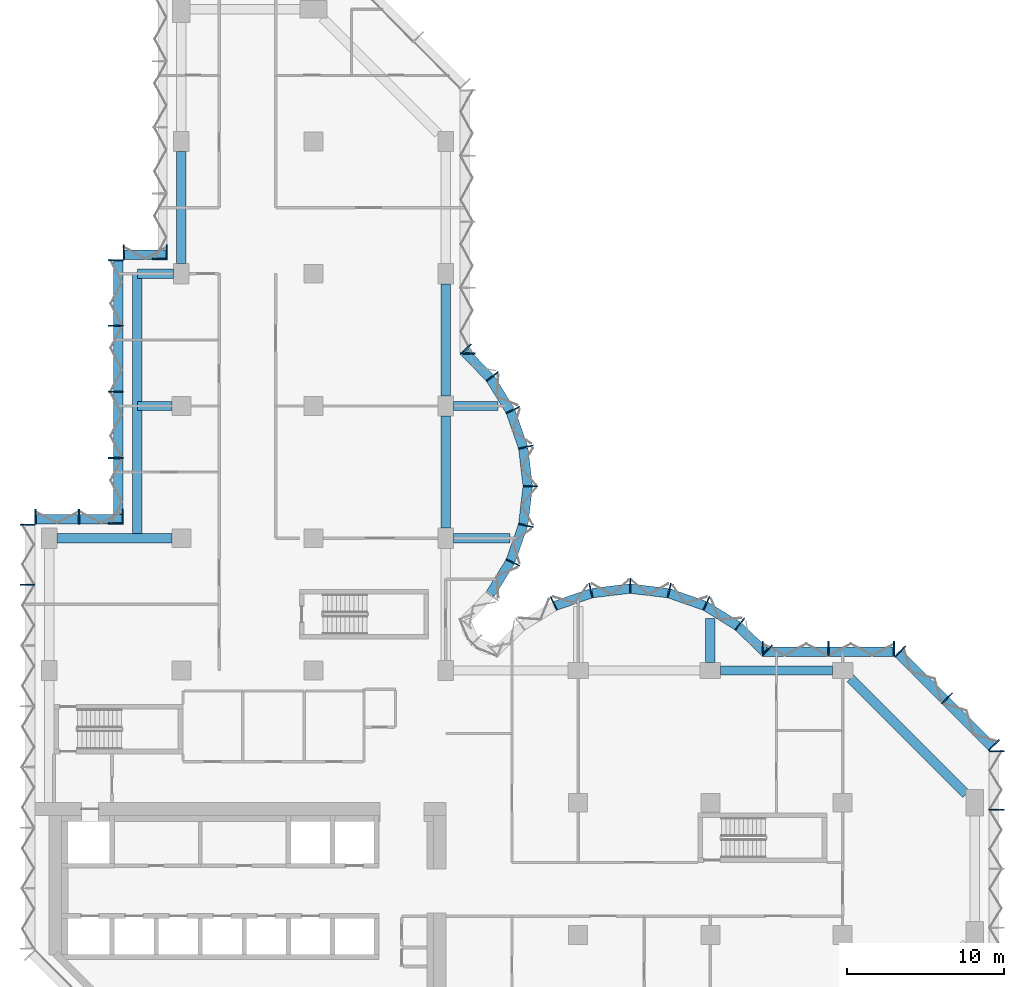
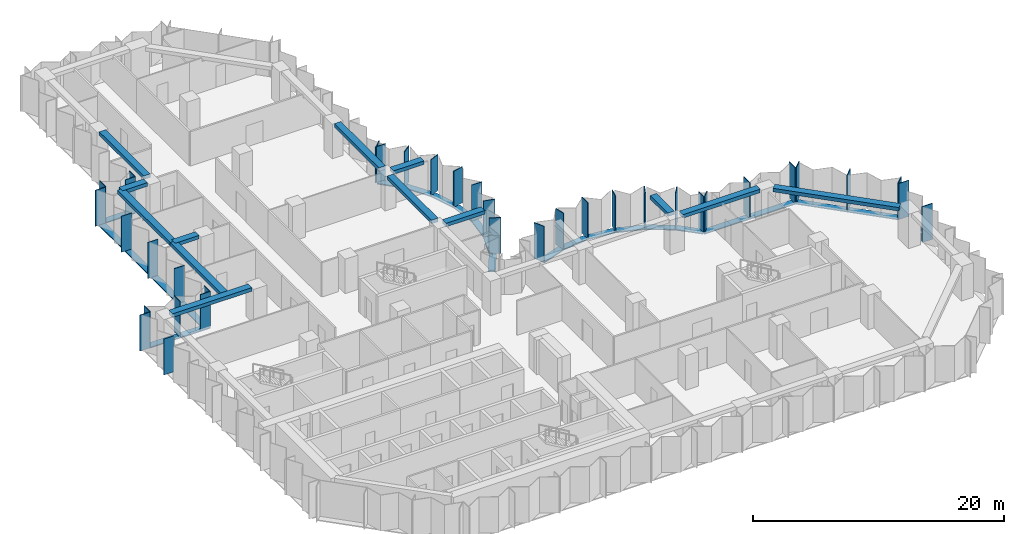
# One storey, part 2 of 11: 54 members, 13 beams, 11 elements without a shape of their own.
"""IFC4 building model written with IfcOpenShell, lengths in metres."""

from ifc_helpers import new_model, si_unit, direction, frame, origin, origin_2d, place, context, subcontext, project, spatial, rectangle, extrude, material, material_profile, profile_set, type_object, element, aggregate, save


model = new_model("IFC4")

# Units and contexts
model_context = context("Model", 3, precision=1e-05, world=origin(), true_north=direction((0.0, 1.0)))
body_context = subcontext(model_context, "Body", "Model", "MODEL_VIEW")
ifc_project = project(units=[si_unit("LENGTHUNIT", "METRE"), si_unit("AREAUNIT", "SQUARE_METRE"), si_unit("VOLUMEUNIT", "CUBIC_METRE"), si_unit("PLANEANGLEUNIT", "RADIAN"), si_unit("MASSUNIT", "GRAM", prefix="KILO")], contexts=[model_context])

# Site, building, storey
site_placement = place(None, origin())
site = spatial("IfcSite", under=ifc_project, at=site_placement, CompositionType="ELEMENT")
building_placement = place(site_placement, origin())
building = spatial("IfcBuilding", under=site, at=building_placement, Name="Brevane Broadcast Tower", CompositionType="ELEMENT")
storey_placement = place(building_placement, frame((0.0, 0.0, 138.5)))
storey = spatial("IfcBuildingStorey", under=building, at=storey_placement, Name="L34", CompositionType="ELEMENT", Elevation=138.5)

# Curtain wall, members
ifc_material_1 = material(Name="Aluminium 6063-T6 bronze anodised", Category="aluminium")
curtain_wall_type = type_object("IfcCurtainWallType", Name="CW-1 curtain wall", PredefinedType="NOTDEFINED", material=ifc_material_1)
curtain_wall_1_placement = place(storey_placement, origin())
curtain_wall_1 = element("IfcCurtainWall", 1, at=curtain_wall_1_placement, inside=storey, type_object=curtain_wall_type, Name="CW-1 typical tilted unit L34 east end", PredefinedType="NOTDEFINED")
ifc_material_profile_1 = material_profile(ifc_material_1, rectangle(XDim=0.949951171875, YDim=0.070068359375, at=origin_2d()), Name="RECT 70x950")
ifc_profile_set_1 = profile_set([ifc_material_profile_1], Name="Aluminium 6063-T6 bronze anodised")
member_type_1 = type_object("IfcMemberType", Name="CW-1 mullion 70x950", PredefinedType="MULLION", material=ifc_profile_set_1)
member_1_placement = place(storey_placement, frame((60.175048828125, 16.35009765625, -0.14990234375), z_axis=(0.0, 0.0, 1.0), x_axis=(-1.0, 0.0, 0.0)))
member_1 = element("IfcMember", 2, at=member_1_placement, type_object=member_type_1, Name="CW-1 mullion", PredefinedType="MULLION", context=body_context, shape_type="SweptSolid", body=[
    extrude(rectangle(XDim=0.949951171875, YDim=0.070068359375, at=origin_2d()), origin(), (0.0, 0.0, 1.0), 3.5),
])
member_2_placement = place(storey_placement, frame((60.175048828125, 20.06494140625, -0.14990234375), z_axis=(0.0, 0.0, 1.0), x_axis=(-1.0, 0.0, 0.0)))
member_2 = element("IfcMember", 3, at=member_2_placement, type_object=member_type_1, Name="CW-1 mullion", PredefinedType="MULLION", context=body_context, shape_type="SweptSolid", body=[
    extrude(rectangle(XDim=0.949951171875, YDim=0.070068359375, at=origin_2d()), origin(), (0.0, 0.0, 1.0), 3.5),
])
aggregate(curtain_wall_1, [member_1, member_2])

curtain_wall_2_placement = place(storey_placement, origin())
curtain_wall_2 = element("IfcCurtainWall", 4, at=curtain_wall_2_placement, inside=storey, type_object=curtain_wall_type, Name="CW-1 typical tilted unit L34 north-east chamfer", PredefinedType="NOTDEFINED")
member_3_placement = place(storey_placement, frame((60.01123046875, 20.460693359375, -0.14990234375), z_axis=(0.0, 0.0, 1.0), x_axis=(-0.707106781187, -0.707106781187, 0.0)))
member_3 = element("IfcMember", 5, at=member_3_placement, type_object=member_type_1, Name="CW-1 mullion", PredefinedType="MULLION", context=body_context, shape_type="SweptSolid", body=[
    extrude(rectangle(XDim=0.949951171875, YDim=0.070068359375, at=origin_2d()), origin(), (0.0, 0.0, 1.0), 3.5),
])
member_4_placement = place(storey_placement, frame((57.035888671875, 23.435791015625, -0.14990234375), z_axis=(0.0, 0.0, 1.0), x_axis=(-0.707106781187, -0.707106781187, 0.0)))
member_4 = element("IfcMember", 6, at=member_4_placement, type_object=member_type_1, Name="CW-1 mullion", PredefinedType="MULLION", context=body_context, shape_type="SweptSolid", body=[
    extrude(rectangle(XDim=0.949951171875, YDim=0.070068359375, at=origin_2d()), origin(), (0.0, 0.0, 1.0), 3.5),
])
member_5_placement = place(storey_placement, frame((54.060546875, 26.4111328125, -0.14990234375), z_axis=(0.0, 0.0, 1.0), x_axis=(-0.707106781187, -0.707106781187, 0.0)))
member_5 = element("IfcMember", 7, at=member_5_placement, type_object=member_type_1, Name="CW-1 mullion", PredefinedType="MULLION", context=body_context, shape_type="SweptSolid", body=[
    extrude(rectangle(XDim=0.949951171875, YDim=0.070068359375, at=origin_2d()), origin(), (0.0, 0.0, 1.0), 3.5),
])

curtain_wall_3_placement = place(storey_placement, origin())
curtain_wall_3 = element("IfcCurtainWall", 8, at=curtain_wall_3_placement, inside=storey, type_object=curtain_wall_type, Name="CW-1 typical tilted unit L34 east arm north face", PredefinedType="NOTDEFINED")
member_6_placement = place(storey_placement, frame((53.6650390625, 26.574951171875, -0.14990234375), z_axis=(0.0, 0.0, 1.0), x_axis=(0.0, -1.0, 0.0)))
member_6 = element("IfcMember", 9, at=member_6_placement, type_object=member_type_1, Name="CW-1 mullion", PredefinedType="MULLION", context=body_context, shape_type="SweptSolid", body=[
    extrude(rectangle(XDim=0.949951171875, YDim=0.070068359375, at=origin_2d()), origin(), (0.0, 0.0, 1.0), 3.5),
])
member_7_placement = place(storey_placement, frame((49.5, 26.574951171875, -0.14990234375), z_axis=(0.0, 0.0, 1.0), x_axis=(0.0, -1.0, 0.0)))
member_7 = element("IfcMember", 10, at=member_7_placement, type_object=member_type_1, Name="CW-1 mullion", PredefinedType="MULLION", context=body_context, shape_type="SweptSolid", body=[
    extrude(rectangle(XDim=0.949951171875, YDim=0.070068359375, at=origin_2d()), origin(), (0.0, 0.0, 1.0), 3.5),
])
member_8_placement = place(storey_placement, frame((45.3349609375, 26.574951171875, -0.14990234375), z_axis=(0.0, 0.0, 1.0), x_axis=(0.0, -1.0, 0.0)))
member_8 = element("IfcMember", 11, at=member_8_placement, type_object=member_type_1, Name="CW-1 mullion", PredefinedType="MULLION", context=body_context, shape_type="SweptSolid", body=[
    extrude(rectangle(XDim=0.949951171875, YDim=0.070068359375, at=origin_2d()), origin(), (0.0, 0.0, 1.0), 3.5),
])

curtain_wall_4_placement = place(storey_placement, origin())
curtain_wall_4 = element("IfcCurtainWall", 12, at=curtain_wall_4_placement, inside=storey, type_object=curtain_wall_type, Name="CW-1 typical tilted unit L34 east bow", PredefinedType="NOTDEFINED")
member_9_placement = place(storey_placement, frame((45.60595703125, 26.465087890625, -0.14990234375), z_axis=(0.0, 0.0, 1.0), x_axis=(-0.696811941702, -0.717253872699, 0.0)))
member_9 = element("IfcMember", 13, at=member_9_placement, type_object=member_type_1, Name="CW-1 mullion", PredefinedType="MULLION", context=body_context, shape_type="SweptSolid", body=[
    extrude(rectangle(XDim=0.949951171875, YDim=0.070068359375, at=origin_2d()), origin(), (0.0, 0.0, 1.0), 3.5),
])
member_10_placement = place(storey_placement, frame((43.8720703125, 28.1455078125, -0.14990234375), z_axis=(0.0, 0.0, 1.0), x_axis=(-0.614769738617, -0.788706642853, 0.0)))
member_10 = element("IfcMember", 14, at=member_10_placement, type_object=member_type_1, Name="CW-1 mullion", PredefinedType="MULLION", context=body_context, shape_type="SweptSolid", body=[
    extrude(rectangle(XDim=0.949951171875, YDim=0.070068359375, at=origin_2d()), origin(), (0.0, 0.0, 1.0), 3.5),
])
member_11_placement = place(storey_placement, frame((41.746826171875, 29.4580078125, -0.14990234375), z_axis=(0.0, 0.0, 1.0), x_axis=(-0.429933601163, -0.902860508933, 0.0)))
member_11 = element("IfcMember", 15, at=member_11_placement, type_object=member_type_1, Name="CW-1 mullion", PredefinedType="MULLION", context=body_context, shape_type="SweptSolid", body=[
    extrude(rectangle(XDim=0.949951171875, YDim=0.070068359375, at=origin_2d()), origin(), (0.0, 0.0, 1.0), 3.5),
])
member_12_placement = place(storey_placement, frame((39.38818359375, 30.28076171875, -0.14990234375), z_axis=(0.0, 0.0, 1.0), x_axis=(-0.224806482215, -0.974403430594, 0.0)))
member_12 = element("IfcMember", 16, at=member_12_placement, type_object=member_type_1, Name="CW-1 mullion", PredefinedType="MULLION", context=body_context, shape_type="SweptSolid", body=[
    extrude(rectangle(XDim=0.949951171875, YDim=0.070068359375, at=origin_2d()), origin(), (0.0, 0.0, 1.0), 3.5),
])
member_13_placement = place(storey_placement, frame((36.89990234375, 30.574951171875, -0.14990234375), z_axis=(0.0, 0.0, 1.0), x_axis=(0.0, -1.0, 0.0)))
member_13 = element("IfcMember", 17, at=member_13_placement, type_object=member_type_1, Name="CW-1 mullion", PredefinedType="MULLION", context=body_context, shape_type="SweptSolid", body=[
    extrude(rectangle(XDim=0.949951171875, YDim=0.070068359375, at=origin_2d()), origin(), (0.0, 0.0, 1.0), 3.5),
])
member_14_placement = place(storey_placement, frame((34.411865234375, 30.28076171875, -0.14990234375), z_axis=(0.0, 0.0, 1.0), x_axis=(0.224806482215, -0.974403430594, 0.0)))
member_14 = element("IfcMember", 18, at=member_14_placement, type_object=member_type_1, Name="CW-1 mullion", PredefinedType="MULLION", context=body_context, shape_type="SweptSolid", body=[
    extrude(rectangle(XDim=0.949951171875, YDim=0.070068359375, at=origin_2d()), origin(), (0.0, 0.0, 1.0), 3.5),
])
member_15_placement = place(storey_placement, frame((32.05322265625, 29.4580078125, -0.14990234375), z_axis=(0.0, 0.0, 1.0), x_axis=(0.429933601163, -0.902860508933, 0.0)))
member_15 = element("IfcMember", 19, at=member_15_placement, type_object=member_type_1, Name="CW-1 mullion", PredefinedType="MULLION", context=body_context, shape_type="SweptSolid", body=[
    extrude(rectangle(XDim=0.949951171875, YDim=0.070068359375, at=origin_2d()), origin(), (0.0, 0.0, 1.0), 3.5),
])

curtain_wall_5_placement = place(storey_placement, origin())
curtain_wall_5 = element("IfcCurtainWall", 20, at=curtain_wall_5_placement, inside=storey, type_object=curtain_wall_type, Name="CW-1 typical tilted unit L34 north bow", PredefinedType="NOTDEFINED")
member_16_placement = place(storey_placement, frame((29.4580078125, 32.05322265625, -0.14990234375), z_axis=(0.0, 0.0, 1.0), x_axis=(-0.902860508933, 0.429933601163, 0.0)))
member_16 = element("IfcMember", 21, at=member_16_placement, type_object=member_type_1, Name="CW-1 mullion", PredefinedType="MULLION", context=body_context, shape_type="SweptSolid", body=[
    extrude(rectangle(XDim=0.949951171875, YDim=0.070068359375, at=origin_2d()), origin(), (0.0, 0.0, 1.0), 3.5),
])
member_17_placement = place(storey_placement, frame((30.28076171875, 34.411865234375, -0.14990234375), z_axis=(0.0, 0.0, 1.0), x_axis=(-0.974403430594, 0.224806482215, 0.0)))
member_17 = element("IfcMember", 22, at=member_17_placement, type_object=member_type_1, Name="CW-1 mullion", PredefinedType="MULLION", context=body_context, shape_type="SweptSolid", body=[
    extrude(rectangle(XDim=0.949951171875, YDim=0.070068359375, at=origin_2d()), origin(), (0.0, 0.0, 1.0), 3.5),
])
member_18_placement = place(storey_placement, frame((30.574951171875, 36.89990234375, -0.14990234375), z_axis=(0.0, 0.0, 1.0), x_axis=(-1.0, 0.0, 0.0)))
member_18 = element("IfcMember", 23, at=member_18_placement, type_object=member_type_1, Name="CW-1 mullion", PredefinedType="MULLION", context=body_context, shape_type="SweptSolid", body=[
    extrude(rectangle(XDim=0.949951171875, YDim=0.070068359375, at=origin_2d()), origin(), (0.0, 0.0, 1.0), 3.5),
])
member_19_placement = place(storey_placement, frame((30.28076171875, 39.38818359375, -0.14990234375), z_axis=(0.0, 0.0, 1.0), x_axis=(-0.974403430594, -0.224806482215, 0.0)))
member_19 = element("IfcMember", 24, at=member_19_placement, type_object=member_type_1, Name="CW-1 mullion", PredefinedType="MULLION", context=body_context, shape_type="SweptSolid", body=[
    extrude(rectangle(XDim=0.949951171875, YDim=0.070068359375, at=origin_2d()), origin(), (0.0, 0.0, 1.0), 3.5),
])
member_20_placement = place(storey_placement, frame((29.4580078125, 41.746826171875, -0.14990234375), z_axis=(0.0, 0.0, 1.0), x_axis=(-0.902860508933, -0.429933601163, 0.0)))
member_20 = element("IfcMember", 25, at=member_20_placement, type_object=member_type_1, Name="CW-1 mullion", PredefinedType="MULLION", context=body_context, shape_type="SweptSolid", body=[
    extrude(rectangle(XDim=0.949951171875, YDim=0.070068359375, at=origin_2d()), origin(), (0.0, 0.0, 1.0), 3.5),
])
member_21_placement = place(storey_placement, frame((28.1455078125, 43.8720703125, -0.14990234375), z_axis=(0.0, 0.0, 1.0), x_axis=(-0.788706642853, -0.614769738617, 0.0)))
member_21 = element("IfcMember", 26, at=member_21_placement, type_object=member_type_1, Name="CW-1 mullion", PredefinedType="MULLION", context=body_context, shape_type="SweptSolid", body=[
    extrude(rectangle(XDim=0.949951171875, YDim=0.070068359375, at=origin_2d()), origin(), (0.0, 0.0, 1.0), 3.5),
])
member_22_placement = place(storey_placement, frame((26.465087890625, 45.60595703125, -0.14990234375), z_axis=(0.0, 0.0, 1.0), x_axis=(-0.717253872699, -0.696811941702, 0.0)))
member_22 = element("IfcMember", 27, at=member_22_placement, type_object=member_type_1, Name="CW-1 mullion", PredefinedType="MULLION", context=body_context, shape_type="SweptSolid", body=[
    extrude(rectangle(XDim=0.949951171875, YDim=0.070068359375, at=origin_2d()), origin(), (0.0, 0.0, 1.0), 3.5),
])

# Curtain wall, member
curtain_wall_6_placement = place(storey_placement, origin())
curtain_wall_6 = element("IfcCurtainWall", 28, at=curtain_wall_6_placement, inside=storey, type_object=curtain_wall_type, Name="CW-1 typical tilted unit L34 north arm east face", PredefinedType="NOTDEFINED")
member_23_placement = place(storey_placement, frame((26.574951171875, 45.3349609375, -0.14990234375), z_axis=(0.0, 0.0, 1.0), x_axis=(-1.0, 0.0, 0.0)))
member_23 = element("IfcMember", 29, at=member_23_placement, type_object=member_type_1, Name="CW-1 mullion", PredefinedType="MULLION", context=body_context, shape_type="SweptSolid", body=[
    extrude(rectangle(XDim=0.949951171875, YDim=0.070068359375, at=origin_2d()), origin(), (0.0, 0.0, 1.0), 3.5),
])
aggregate(curtain_wall_6, [member_23])

curtain_wall_7_placement = place(storey_placement, origin())
curtain_wall_7 = element("IfcCurtainWall", 30, at=curtain_wall_7_placement, inside=storey, type_object=curtain_wall_type, Name="CW-1 typical tilted unit L34 north wing west face above the set-back", PredefinedType="NOTDEFINED")
member_24_placement = place(storey_placement, frame((7.02490234375, 51.3349609375, -0.14990234375), z_axis=(0.0, 0.0, 1.0), x_axis=(1.0, 0.0, 0.0)))
member_24 = element("IfcMember", 31, at=member_24_placement, type_object=member_type_1, Name="CW-1 mullion", PredefinedType="MULLION", context=body_context, shape_type="SweptSolid", body=[
    extrude(rectangle(XDim=0.949951171875, YDim=0.070068359375, at=origin_2d()), origin(), (0.0, 0.0, 1.0), 3.5),
])
aggregate(curtain_wall_7, [member_24])

# Curtain wall, members
curtain_wall_8_placement = place(storey_placement, origin())
curtain_wall_8 = element("IfcCurtainWall", 32, at=curtain_wall_8_placement, inside=storey, type_object=curtain_wall_type, Name="CW-1 typical tilted unit L34 north wing west return", PredefinedType="NOTDEFINED")
member_25_placement = place(storey_placement, frame((7.465087890625, 51.77490234375, -0.14990234375), z_axis=(0.0, 0.0, 1.0), x_axis=(0.0, -1.0, 0.0)))
member_25 = element("IfcMember", 33, at=member_25_placement, type_object=member_type_1, Name="CW-1 mullion", PredefinedType="MULLION", context=body_context, shape_type="SweptSolid", body=[
    extrude(rectangle(XDim=0.949951171875, YDim=0.070068359375, at=origin_2d()), origin(), (0.0, 0.0, 1.0), 3.5),
])
member_26_placement = place(storey_placement, frame((4.735107421875, 51.77490234375, -0.14990234375), z_axis=(0.0, 0.0, 1.0), x_axis=(0.0, -1.0, 0.0)))
member_26 = element("IfcMember", 34, at=member_26_placement, type_object=member_type_1, Name="CW-1 mullion", PredefinedType="MULLION", context=body_context, shape_type="SweptSolid", body=[
    extrude(rectangle(XDim=0.949951171875, YDim=0.070068359375, at=origin_2d()), origin(), (0.0, 0.0, 1.0), 3.5),
])

curtain_wall_9_placement = place(storey_placement, origin())
curtain_wall_9 = element("IfcCurtainWall", 35, at=curtain_wall_9_placement, inside=storey, type_object=curtain_wall_type, Name="CW-1 typical tilted unit L34 north wing west face, lower block", PredefinedType="NOTDEFINED")
member_27_placement = place(storey_placement, frame((4.22509765625, 51.264892578125, -0.14990234375), z_axis=(0.0, 0.0, 1.0), x_axis=(1.0, 0.0, 0.0)))
member_27 = element("IfcMember", 36, at=member_27_placement, type_object=member_type_1, Name="CW-1 mullion", PredefinedType="MULLION", context=body_context, shape_type="SweptSolid", body=[
    extrude(rectangle(XDim=0.949951171875, YDim=0.070068359375, at=origin_2d()), origin(), (0.0, 0.0, 1.0), 3.5),
])
member_28_placement = place(storey_placement, frame((4.22509765625, 47.10009765625, -0.14990234375), z_axis=(0.0, 0.0, 1.0), x_axis=(1.0, 0.0, 0.0)))
member_28 = element("IfcMember", 37, at=member_28_placement, type_object=member_type_1, Name="CW-1 mullion", PredefinedType="MULLION", context=body_context, shape_type="SweptSolid", body=[
    extrude(rectangle(XDim=0.949951171875, YDim=0.070068359375, at=origin_2d()), origin(), (0.0, 0.0, 1.0), 3.5),
])
member_29_placement = place(storey_placement, frame((4.22509765625, 42.89990234375, -0.14990234375), z_axis=(0.0, 0.0, 1.0), x_axis=(1.0, 0.0, 0.0)))
member_29 = element("IfcMember", 38, at=member_29_placement, type_object=member_type_1, Name="CW-1 mullion", PredefinedType="MULLION", context=body_context, shape_type="SweptSolid", body=[
    extrude(rectangle(XDim=0.949951171875, YDim=0.070068359375, at=origin_2d()), origin(), (0.0, 0.0, 1.0), 3.5),
])
member_30_placement = place(storey_placement, frame((4.22509765625, 38.699951171875, -0.14990234375), z_axis=(0.0, 0.0, 1.0), x_axis=(1.0, 0.0, 0.0)))
member_30 = element("IfcMember", 39, at=member_30_placement, type_object=member_type_1, Name="CW-1 mullion", PredefinedType="MULLION", context=body_context, shape_type="SweptSolid", body=[
    extrude(rectangle(XDim=0.949951171875, YDim=0.070068359375, at=origin_2d()), origin(), (0.0, 0.0, 1.0), 3.5),
])
member_31_placement = place(storey_placement, frame((4.22509765625, 34.534912109375, -0.14990234375), z_axis=(0.0, 0.0, 1.0), x_axis=(1.0, 0.0, 0.0)))
member_31 = element("IfcMember", 40, at=member_31_placement, type_object=member_type_1, Name="CW-1 mullion", PredefinedType="MULLION", context=body_context, shape_type="SweptSolid", body=[
    extrude(rectangle(XDim=0.949951171875, YDim=0.070068359375, at=origin_2d()), origin(), (0.0, 0.0, 1.0), 3.5),
])

curtain_wall_10_placement = place(storey_placement, origin())
curtain_wall_10 = element("IfcCurtainWall", 41, at=curtain_wall_10_placement, inside=storey, type_object=curtain_wall_type, Name="CW-1 typical tilted unit L34 north wing west return, lower block", PredefinedType="NOTDEFINED")
member_32_placement = place(storey_placement, frame((4.6650390625, 34.97509765625, -0.14990234375), z_axis=(0.0, 0.0, 1.0), x_axis=(0.0, -1.0, 0.0)))
member_32 = element("IfcMember", 42, at=member_32_placement, type_object=member_type_1, Name="CW-1 mullion", PredefinedType="MULLION", context=body_context, shape_type="SweptSolid", body=[
    extrude(rectangle(XDim=0.949951171875, YDim=0.070068359375, at=origin_2d()), origin(), (0.0, 0.0, 1.0), 3.5),
])
member_33_placement = place(storey_placement, frame((1.89990234375, 34.97509765625, -0.14990234375), z_axis=(0.0, 0.0, 1.0), x_axis=(0.0, -1.0, 0.0)))
member_33 = element("IfcMember", 43, at=member_33_placement, type_object=member_type_1, Name="CW-1 mullion", PredefinedType="MULLION", context=body_context, shape_type="SweptSolid", body=[
    extrude(rectangle(XDim=0.949951171875, YDim=0.070068359375, at=origin_2d()), origin(), (0.0, 0.0, 1.0), 3.5),
])
member_34_placement = place(storey_placement, frame((-0.864990234375, 34.97509765625, -0.14990234375), z_axis=(0.0, 0.0, 1.0), x_axis=(0.0, -1.0, 0.0)))
member_34 = element("IfcMember", 44, at=member_34_placement, type_object=member_type_1, Name="CW-1 mullion", PredefinedType="MULLION", context=body_context, shape_type="SweptSolid", body=[
    extrude(rectangle(XDim=0.949951171875, YDim=0.070068359375, at=origin_2d()), origin(), (0.0, 0.0, 1.0), 3.5),
])

curtain_wall_11_placement = place(storey_placement, origin())
curtain_wall_11 = element("IfcCurtainWall", 45, at=curtain_wall_11_placement, inside=storey, type_object=curtain_wall_type, Name="CW-1 typical tilted unit L34 west face", PredefinedType="NOTDEFINED")
member_35_placement = place(storey_placement, frame((-1.375, 34.465087890625, -0.14990234375), z_axis=(0.0, 0.0, 1.0), x_axis=(1.0, 0.0, 0.0)))
member_35 = element("IfcMember", 46, at=member_35_placement, type_object=member_type_1, Name="CW-1 mullion", PredefinedType="MULLION", context=body_context, shape_type="SweptSolid", body=[
    extrude(rectangle(XDim=0.949951171875, YDim=0.070068359375, at=origin_2d()), origin(), (0.0, 0.0, 1.0), 3.5),
])
member_36_placement = place(storey_placement, frame((-1.375, 30.642822265625, -0.14990234375), z_axis=(0.0, 0.0, 1.0), x_axis=(1.0, 0.0, 0.0)))
member_36 = element("IfcMember", 47, at=member_36_placement, type_object=member_type_1, Name="CW-1 mullion", PredefinedType="MULLION", context=body_context, shape_type="SweptSolid", body=[
    extrude(rectangle(XDim=0.949951171875, YDim=0.070068359375, at=origin_2d()), origin(), (0.0, 0.0, 1.0), 3.5),
])
aggregate(curtain_wall_11, [member_35, member_36])

# Member
ifc_material_profile_2 = material_profile(ifc_material_1, rectangle(XDim=0.60009765625, YDim=0.10009765625, at=origin_2d()), Name="RECT 100x600")
ifc_profile_set_2 = profile_set([ifc_material_profile_2], Name="Aluminium 6063-T6 bronze anodised")
member_type_2 = type_object("IfcMemberType", Name="CW-1 transom 100x600", PredefinedType="USERDEFINED", material=ifc_profile_set_2)
member_37_placement = place(storey_placement, frame((59.912109375, 20.31201171875, -0.199951171875), z_axis=(-0.707106781187, 0.707106781187, 0.0), x_axis=(-0.707106781187, -0.707106781187, 0.0)))
member_37 = element("IfcMember", 48, at=member_37_placement, type_object=member_type_2, Name="CW-1 transom", ObjectType="TRANSOM", PredefinedType="USERDEFINED", context=body_context, shape_type="SweptSolid", body=[
    extrude(rectangle(XDim=0.60009765625, YDim=0.10009765625, at=origin_2d()), origin(), (0.0, 0.0, 1.0), 8.4853515625),
])

aggregate(curtain_wall_2, [member_3, member_4, member_5, member_37])

member_38_placement = place(storey_placement, frame((53.699951171875, 26.39990234375, -0.199951171875), z_axis=(-1.0, 0.0, 0.0), x_axis=(0.0, -1.0, 0.0)))
member_38 = element("IfcMember", 49, at=member_38_placement, type_object=member_type_2, Name="CW-1 transom", ObjectType="TRANSOM", PredefinedType="USERDEFINED", context=body_context, shape_type="SweptSolid", body=[
    extrude(rectangle(XDim=0.60009765625, YDim=0.10009765625, at=origin_2d()), origin(), (0.0, 0.0, 1.0), 8.39990234375),
])

aggregate(curtain_wall_3, [member_6, member_7, member_8, member_38])

member_39_placement = place(storey_placement, frame((45.412841796875, 26.407958984375, -0.199951171875), z_axis=(-0.71724215871, 0.696823999134, 0.0), x_axis=(-0.696823999134, -0.71724215871, 0.0)))
member_39 = element("IfcMember", 50, at=member_39_placement, type_object=member_type_2, Name="CW-1 transom", ObjectType="TRANSOM", PredefinedType="USERDEFINED", context=body_context, shape_type="SweptSolid", body=[
    extrude(rectangle(XDim=0.60009765625, YDim=0.10009765625, at=origin_2d()), origin(), (0.0, 0.0, 1.0), 2.247802734375),
])

member_40_placement = place(storey_placement, frame((43.7421875, 28.023193359375, -0.199951171875), z_axis=(-0.850810063131, 0.525473345162, 0.0), x_axis=(-0.525473345162, -0.850810063131, 0.0)))
member_40 = element("IfcMember", 51, at=member_40_placement, type_object=member_type_2, Name="CW-1 transom", ObjectType="TRANSOM", PredefinedType="USERDEFINED", context=body_context, shape_type="SweptSolid", body=[
    extrude(rectangle(XDim=0.60009765625, YDim=0.10009765625, at=origin_2d()), origin(), (0.0, 0.0, 1.0), 2.39453125),
])

member_41_placement = place(storey_placement, frame((41.63623046875, 29.314208984375, -0.199951171875), z_axis=(-0.944197969542, 0.329378497041, 0.0), x_axis=(-0.329378497041, -0.944197969542, 0.0)))
member_41 = element("IfcMember", 52, at=member_41_placement, type_object=member_type_2, Name="CW-1 transom", ObjectType="TRANSOM", PredefinedType="USERDEFINED", context=body_context, shape_type="SweptSolid", body=[
    extrude(rectangle(XDim=0.60009765625, YDim=0.10009765625, at=origin_2d()), origin(), (0.0, 0.0, 1.0), 2.394775390625),
])

member_42_placement = place(storey_placement, frame((39.30029296875, 30.117431640625, -0.199951171875), z_axis=(-0.993062061831, 0.117591417, 0.0), x_axis=(-0.117591417, -0.993062061831, 0.0)))
member_42 = element("IfcMember", 53, at=member_42_placement, type_object=member_type_2, Name="CW-1 transom", ObjectType="TRANSOM", PredefinedType="USERDEFINED", context=body_context, shape_type="SweptSolid", body=[
    extrude(rectangle(XDim=0.60009765625, YDim=0.10009765625, at=origin_2d()), origin(), (0.0, 0.0, 1.0), 2.39794921875),
])

member_43_placement = place(storey_placement, frame((36.880859375, 30.3994140625, -0.199951171875), z_axis=(-0.993060653805, -0.117603307202, 0.0), x_axis=(0.117603307202, -0.993060653805, 0.0)))
member_43 = element("IfcMember", 54, at=member_43_placement, type_object=member_type_2, Name="CW-1 transom", ObjectType="TRANSOM", PredefinedType="USERDEFINED", context=body_context, shape_type="SweptSolid", body=[
    extrude(rectangle(XDim=0.60009765625, YDim=0.10009765625, at=origin_2d()), origin(), (0.0, 0.0, 1.0), 2.397705078125),
])

member_44_placement = place(storey_placement, frame((34.425048828125, 30.10302734375, -0.199951171875), z_axis=(-0.944197969542, -0.329378497041, 0.0), x_axis=(0.329378497041, -0.944197969542, 0.0)))
member_44 = element("IfcMember", 55, at=member_44_placement, type_object=member_type_2, Name="CW-1 transom", ObjectType="TRANSOM", PredefinedType="USERDEFINED", context=body_context, shape_type="SweptSolid", body=[
    extrude(rectangle(XDim=0.60009765625, YDim=0.10009765625, at=origin_2d()), origin(), (0.0, 0.0, 1.0), 2.394775390625),
])

aggregate(curtain_wall_4, [member_9, member_10, member_11, member_12, member_13, member_14, member_15, member_39, member_40, member_41, member_42, member_43, member_44])

member_45_placement = place(storey_placement, frame((28.023193359375, 30.0576171875, -0.199951171875), z_axis=(0.525427766759, 0.850838211365, 0.0), x_axis=(-0.850838211365, 0.525427766759, 0.0)))
member_45 = element("IfcMember", 56, at=member_45_placement, type_object=member_type_2, Name="CW-1 transom", ObjectType="TRANSOM", PredefinedType="USERDEFINED", context=body_context, shape_type="SweptSolid", body=[
    extrude(rectangle(XDim=0.60009765625, YDim=0.10009765625, at=origin_2d()), origin(), (0.0, 0.0, 1.0), 2.394775390625),
])

member_46_placement = place(storey_placement, frame((29.314208984375, 32.163818359375, -0.199951171875), z_axis=(0.329378497041, 0.944197969542, 0.0), x_axis=(-0.944197969542, 0.329378497041, 0.0)))
member_46 = element("IfcMember", 57, at=member_46_placement, type_object=member_type_2, Name="CW-1 transom", ObjectType="TRANSOM", PredefinedType="USERDEFINED", context=body_context, shape_type="SweptSolid", body=[
    extrude(rectangle(XDim=0.60009765625, YDim=0.10009765625, at=origin_2d()), origin(), (0.0, 0.0, 1.0), 2.394775390625),
])

member_47_placement = place(storey_placement, frame((30.117431640625, 34.499755859375, -0.199951171875), z_axis=(0.117603307202, 0.993060653805, 0.0), x_axis=(-0.993060653805, 0.117603307202, 0.0)))
member_47 = element("IfcMember", 58, at=member_47_placement, type_object=member_type_2, Name="CW-1 transom", ObjectType="TRANSOM", PredefinedType="USERDEFINED", context=body_context, shape_type="SweptSolid", body=[
    extrude(rectangle(XDim=0.60009765625, YDim=0.10009765625, at=origin_2d()), origin(), (0.0, 0.0, 1.0), 2.397705078125),
])

member_48_placement = place(storey_placement, frame((30.3994140625, 36.9189453125, -0.199951171875), z_axis=(-0.117591417, 0.993062061831, 0.0), x_axis=(-0.993062061831, -0.117591417, 0.0)))
member_48 = element("IfcMember", 59, at=member_48_placement, type_object=member_type_2, Name="CW-1 transom", ObjectType="TRANSOM", PredefinedType="USERDEFINED", context=body_context, shape_type="SweptSolid", body=[
    extrude(rectangle(XDim=0.60009765625, YDim=0.10009765625, at=origin_2d()), origin(), (0.0, 0.0, 1.0), 2.39794921875),
])

member_49_placement = place(storey_placement, frame((30.10302734375, 39.375, -0.199951171875), z_axis=(-0.329378497041, 0.944197969542, 0.0), x_axis=(-0.944197969542, -0.329378497041, 0.0)))
member_49 = element("IfcMember", 60, at=member_49_placement, type_object=member_type_2, Name="CW-1 transom", ObjectType="TRANSOM", PredefinedType="USERDEFINED", context=body_context, shape_type="SweptSolid", body=[
    extrude(rectangle(XDim=0.60009765625, YDim=0.10009765625, at=origin_2d()), origin(), (0.0, 0.0, 1.0), 2.394775390625),
])

member_50_placement = place(storey_placement, frame((29.281494140625, 41.704833984375, -0.199951171875), z_axis=(-0.525473345162, 0.850810063131, 0.0), x_axis=(-0.850810063131, -0.525473345162, 0.0)))
member_50 = element("IfcMember", 61, at=member_50_placement, type_object=member_type_2, Name="CW-1 transom", ObjectType="TRANSOM", PredefinedType="USERDEFINED", context=body_context, shape_type="SweptSolid", body=[
    extrude(rectangle(XDim=0.60009765625, YDim=0.10009765625, at=origin_2d()), origin(), (0.0, 0.0, 1.0), 2.39453125),
])

member_51_placement = place(storey_placement, frame((27.974365234375, 43.800537109375, -0.199951171875), z_axis=(-0.696823999134, 0.71724215871, 0.0), x_axis=(-0.71724215871, -0.696823999134, 0.0)))
member_51 = element("IfcMember", 62, at=member_51_placement, type_object=member_type_2, Name="CW-1 transom", ObjectType="TRANSOM", PredefinedType="USERDEFINED", context=body_context, shape_type="SweptSolid", body=[
    extrude(rectangle(XDim=0.60009765625, YDim=0.10009765625, at=origin_2d()), origin(), (0.0, 0.0, 1.0), 2.247802734375),
])

aggregate(curtain_wall_5, [member_16, member_17, member_18, member_19, member_20, member_21, member_22, member_45, member_46, member_47, member_48, member_49, member_50, member_51])

member_52_placement = place(storey_placement, frame((7.5, 51.60009765625, -0.199951171875), z_axis=(-1.0, 0.0, 0.0), x_axis=(0.0, -1.0, 0.0)))
member_52 = element("IfcMember", 63, at=member_52_placement, type_object=member_type_2, Name="CW-1 transom", ObjectType="TRANSOM", PredefinedType="USERDEFINED", context=body_context, shape_type="SweptSolid", body=[
    extrude(rectangle(XDim=0.60009765625, YDim=0.10009765625, at=origin_2d()), origin(), (0.0, 0.0, 1.0), 2.800048828125),
])

aggregate(curtain_wall_8, [member_25, member_26, member_52])

member_53_placement = place(storey_placement, frame((4.39990234375, 51.300048828125, -0.199951171875), z_axis=(0.0, -1.0, 0.0), x_axis=(1.0, 0.0, 0.0)))
member_53 = element("IfcMember", 64, at=member_53_placement, type_object=member_type_2, Name="CW-1 transom", ObjectType="TRANSOM", PredefinedType="USERDEFINED", context=body_context, shape_type="SweptSolid", body=[
    extrude(rectangle(XDim=0.60009765625, YDim=0.10009765625, at=origin_2d()), origin(), (0.0, 0.0, 1.0), 16.800048828125),
])

aggregate(curtain_wall_9, [member_27, member_28, member_29, member_30, member_31, member_53])

member_54_placement = place(storey_placement, frame((4.699951171875, 34.800048828125, -0.199951171875), z_axis=(-1.0, 0.0, 0.0), x_axis=(0.0, -1.0, 0.0)))
member_54 = element("IfcMember", 65, at=member_54_placement, type_object=member_type_2, Name="CW-1 transom", ObjectType="TRANSOM", PredefinedType="USERDEFINED", context=body_context, shape_type="SweptSolid", body=[
    extrude(rectangle(XDim=0.60009765625, YDim=0.10009765625, at=origin_2d()), origin(), (0.0, 0.0, 1.0), 5.599853515625),
])

aggregate(curtain_wall_10, [member_32, member_33, member_34, member_54])

# Beams
ifc_material_2 = material(Name="Concrete C40/50", Category="concrete")
ifc_material_profile_3 = material_profile(ifc_material_2, rectangle(XDim=0.60009765625, YDim=0.35009765625, at=origin_2d()), Name="RC 600x350")
ifc_profile_set_3 = profile_set([ifc_material_profile_3], Name="Concrete C40/50")
beam_type_1 = type_object("IfcBeamType", Name="RC BRACKET BEAM 600x350 C40/50", PredefinedType="BEAM", material=ifc_profile_set_3)
beam_1_placement = place(storey_placement, frame((25.699951171875, 33.60009765625, 3.175048828125), z_axis=(1.0, 0.0, 0.0), x_axis=(0.0, 1.0, 0.0)))
element("IfcBeam", 66, at=beam_1_placement, inside=storey, type_object=beam_type_1, Name="EB2 L34-1", PredefinedType="BEAM", context=body_context, shape_type="SweptSolid", body=[
    extrude(rectangle(XDim=0.60009765625, YDim=0.35009765625, at=origin_2d()), origin(), (0.0, 0.0, 1.0), 3.56201171875),
])
for number, where, z_axis, x_axis, name in (
    (67, (25.699951171875, 42.0, 3.175048828125), (1.0, 0.0, 0.0), (0.0, 1.0, 0.0), "EB2 L34-2"),
    (68, (42.0, 25.699951171875, 3.175048828125), (0.0, 1.0, 0.0), (-1.0, 0.0, 0.0), "EB2 L34-4"),
):
    element("IfcBeam", number, at=place(storey_placement, frame(where, z_axis=z_axis, x_axis=x_axis)), inside=storey, type_object=beam_type_1, Name=name, PredefinedType="BEAM", context=body_context, shape_type="SweptSolid", body=[
        extrude(rectangle(XDim=0.60009765625, YDim=0.35009765625, at=origin_2d()), origin(), (0.0, 0.0, 1.0), 2.8115234375),
    ])
beam_2_placement = place(storey_placement, frame((7.800048828125, 42.0, 3.175048828125), z_axis=(-1.0, 0.0, 0.0), x_axis=(0.0, -1.0, 0.0)))
element("IfcBeam", 69, at=beam_2_placement, inside=storey, type_object=beam_type_1, Name="EB2 L34-5", PredefinedType="BEAM", context=body_context, shape_type="SweptSolid", body=[
    extrude(rectangle(XDim=0.60009765625, YDim=0.35009765625, at=origin_2d()), origin(), (0.0, 0.0, 1.0), 2.199951171875),
])
ifc_material_profile_4 = material_profile(ifc_material_2, rectangle(XDim=0.60009765625, YDim=0.35009765625, at=origin_2d()), Name="RC 600x350")
ifc_profile_set_4 = profile_set([ifc_material_profile_4], Name="Concrete C40/50")
beam_type_2 = type_object("IfcBeamType", Name="RC SPANDREL BEAM 600x350 C40/50", PredefinedType="SPANDREL", material=ifc_profile_set_4)
beam_3_placement = place(storey_placement, frame((58.25, 17.35009765625, 3.175048828125), z_axis=(-0.707118524903, 0.707095037275, 0.0), x_axis=(-0.707095037275, -0.707118524903, 0.0)))
element("IfcBeam", 70, at=beam_3_placement, inside=storey, type_object=beam_type_2, Name="EB1 L34-6", PredefinedType="SPANDREL", context=body_context, shape_type="SweptSolid", body=[
    extrude(rectangle(XDim=0.60009765625, YDim=0.35009765625, at=origin_2d()), origin(), (0.0, 0.0, 1.0), 10.39453125),
])
for number, where, z_axis, x_axis, name in (
    (71, (49.75, 25.199951171875, 3.175048828125), (-1.0, 0.0, 0.0), (0.0, -1.0, 0.0), "EB1 L34-7"),
    (72, (25.199951171875, 34.25, 3.175048828125), (0.0, 1.0, 0.0), (-1.0, 0.0, 0.0), "EB1 L34-11"),
    (73, (25.199951171875, 42.64990234375, 3.175048828125), (0.0, 1.0, 0.0), (-1.0, 0.0, 0.0), "EB1 L34-12"),
):
    element("IfcBeam", number, at=place(storey_placement, frame(where, z_axis=z_axis, x_axis=x_axis)), inside=storey, type_object=beam_type_2, Name=name, PredefinedType="SPANDREL", context=body_context, shape_type="SweptSolid", body=[
        extrude(rectangle(XDim=0.60009765625, YDim=0.35009765625, at=origin_2d()), origin(), (0.0, 0.0, 1.0), 7.10009765625),
    ])
beam_4_placement = place(storey_placement, frame((0.5, 33.60009765625, 3.175048828125), z_axis=(1.0, 0.0, 0.0), x_axis=(0.0, 1.0, 0.0)))
element("IfcBeam", 74, at=beam_4_placement, inside=storey, type_object=beam_type_2, Name="EB1 L34-18", PredefinedType="SPANDREL", context=body_context, shape_type="SweptSolid", body=[
    extrude(rectangle(XDim=0.60009765625, YDim=0.35009765625, at=origin_2d()), origin(), (0.0, 0.0, 1.0), 7.300048828125),
])
for number, where, z_axis, x_axis, name in (
    (75, (5.60009765625, 33.60009765625, 3.175048828125), (0.0, 1.0, 0.0), (-1.0, 0.0, 0.0), "EB1 L34-19"),
    (76, (5.60009765625, 42.0, 3.175048828125), (0.0, 1.0, 0.0), (-1.0, 0.0, 0.0), "EB1 L34-20"),
):
    element("IfcBeam", number, at=place(storey_placement, frame(where, z_axis=z_axis, x_axis=x_axis)), inside=storey, type_object=beam_type_2, Name=name, PredefinedType="SPANDREL", context=body_context, shape_type="SweptSolid", body=[
        extrude(rectangle(XDim=0.60009765625, YDim=0.35009765625, at=origin_2d()), origin(), (0.0, 0.0, 1.0), 8.39990234375),
    ])
beam_5_placement = place(storey_placement, frame((5.60009765625, 50.39990234375, 3.175048828125), z_axis=(1.0, 0.0, 0.0), x_axis=(0.0, 1.0, 0.0)))
element("IfcBeam", 77, at=beam_5_placement, inside=storey, type_object=beam_type_2, Name="EB1 L34-21", PredefinedType="SPANDREL", context=body_context, shape_type="SweptSolid", body=[
    extrude(rectangle(XDim=0.60009765625, YDim=0.35009765625, at=origin_2d()), origin(), (0.0, 0.0, 1.0), 2.2998046875),
])
beam_6_placement = place(storey_placement, frame((8.39990234375, 51.050048828125, 3.175048828125), z_axis=(0.0, 1.0, 0.0), x_axis=(-1.0, 0.0, 0.0)))
element("IfcBeam", 78, at=beam_6_placement, inside=storey, type_object=beam_type_2, Name="EB1 L34-22", PredefinedType="SPANDREL", context=body_context, shape_type="SweptSolid", body=[
    extrude(rectangle(XDim=0.60009765625, YDim=0.35009765625, at=origin_2d()), origin(), (0.0, 0.0, 1.0), 7.099853515625),
])

save(model, "model.ifc")
